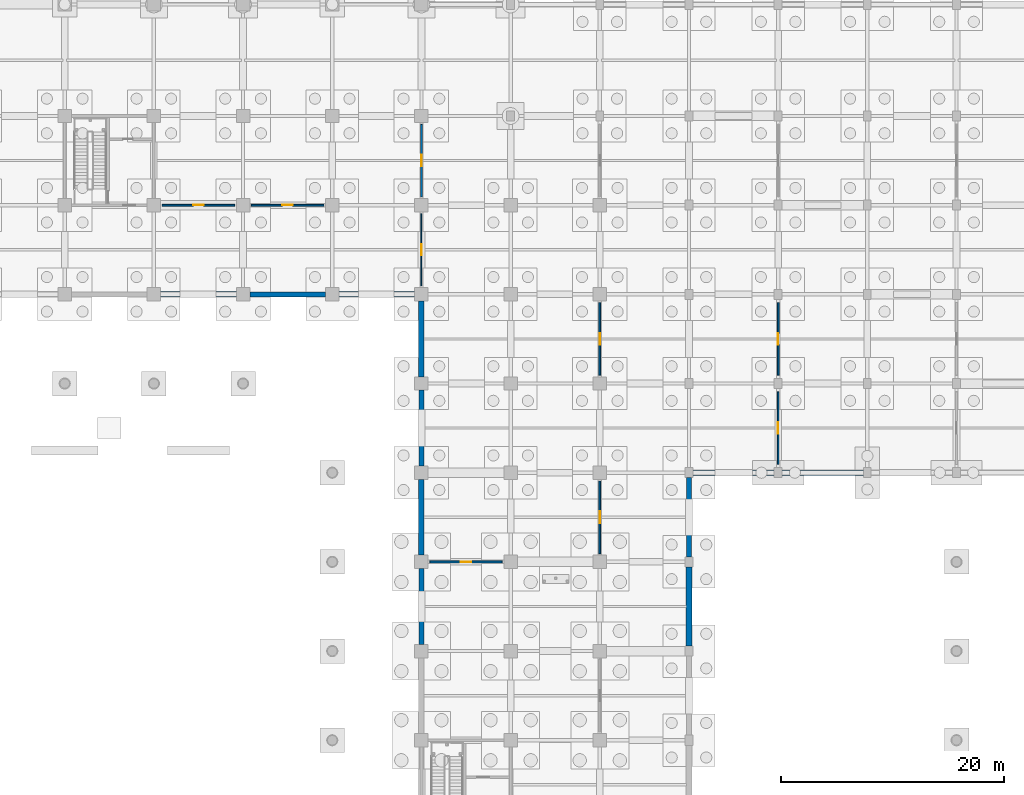
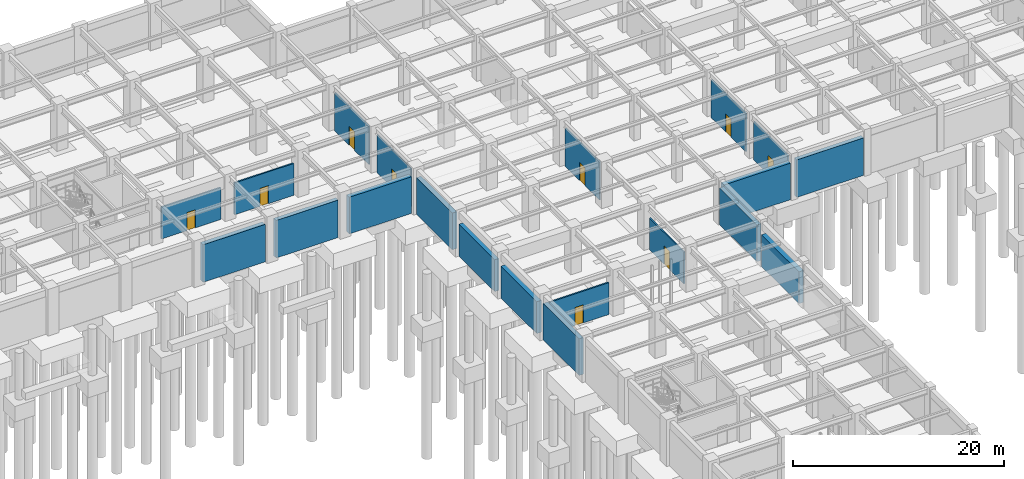
# One storey, part 82 of 97: 20 walls, 9 doors, 9 openings.
"""IFC4 building model written with IfcOpenShell, lengths in metres."""

from ifc_helpers import new_model, si_unit, direction, frame, frame_2d, origin, place, context, subcontext, project, spatial, rectangle, extrude, material, layer, layer_set, type_object, element, fill, save


model = new_model("IFC4")

# Units and contexts
model_context = context("Model", 3, precision=1e-05, world=origin(), true_north=direction((0.0, 1.0)))
body_context = subcontext(model_context, "Body", "Model", "MODEL_VIEW")
ifc_project = project(units=[si_unit("LENGTHUNIT", "METRE"), si_unit("AREAUNIT", "SQUARE_METRE"), si_unit("VOLUMEUNIT", "CUBIC_METRE"), si_unit("PLANEANGLEUNIT", "RADIAN"), si_unit("MASSUNIT", "GRAM", prefix="KILO")], contexts=[model_context])

# Site, building, storey
site_placement = place(None, origin())
site = spatial("IfcSite", under=ifc_project, at=site_placement, CompositionType="ELEMENT")
building_placement = place(site_placement, origin())
building = spatial("IfcBuilding", under=site, at=building_placement, Name="Haebicheon Civic Stadium", CompositionType="ELEMENT")
storey_placement = place(building_placement, frame((0.0, 0.0, -5.39990234375)))
storey = spatial("IfcBuildingStorey", under=building, at=storey_placement, Name="B1", CompositionType="ELEMENT", Elevation=-5.39990234375)

# Walls
ifc_material_1 = material(Name="Concrete C40/50", Category="concrete")
ifc_layer_1 = layer(ifc_material_1, 0.4599609375, Name="Concrete C40/50")
ifc_layer_set_1 = layer_set([ifc_layer_1], Name="Concrete C40/50")
wall_type_1 = type_object("IfcWallType", Name="EW-RET-460", PredefinedType="STANDARD", material=ifc_layer_set_1)
wall_1_placement = place(storey_placement, frame((128.60009765625, 152.0, 0.0), z_axis=(0.0, 0.0, 1.0), x_axis=(1.0, 0.0, 0.0)))
element("IfcWall", 1, at=wall_1_placement, inside=storey, type_object=wall_type_1, material=ifc_layer_set_1, Name="B1 retaining wall 16-19-S", PredefinedType="STANDARD", context=body_context, shape_type="SweptSolid", body=[
    extrude(rectangle(XDim=6.7998046875, YDim=0.4599609375, at=frame_2d((3.39990234375, 0.0))), origin(), (0.0, 0.0, 1.0), 4.33984375),
])
wall_2_placement = place(storey_placement, frame((144.0, 120.60009765625, 0.0), z_axis=(0.0, 0.0, 1.0), x_axis=(0.0, 1.0, 0.0)))
element("IfcWall", 2, at=wall_2_placement, inside=storey, type_object=wall_type_1, material=ifc_layer_set_1, Name="B1 retaining wall 18-15-W", PredefinedType="STANDARD", context=body_context, shape_type="SweptSolid", body=[
    extrude(rectangle(XDim=6.7998046875, YDim=0.4599609375, at=frame_2d((3.39990234375, 0.0))), origin(), (0.0, 0.0, 1.0), 4.239990234375),
])
wall_3_placement = place(storey_placement, frame((144.0, 136.60009765625, 0.0), z_axis=(0.0, 0.0, 1.0), x_axis=(0.0, 1.0, 0.0)))
element("IfcWall", 3, at=wall_3_placement, inside=storey, type_object=wall_type_1, material=ifc_layer_set_1, Name="B1 retaining wall 18-17-W", PredefinedType="STANDARD", context=body_context, shape_type="SweptSolid", body=[
    extrude(rectangle(XDim=6.7998046875, YDim=0.4599609375, at=frame_2d((3.39990234375, 0.0))), origin(), (0.0, 0.0, 1.0), 3.68994140625),
])
wall_4_placement = place(storey_placement, frame((168.0, 128.449951171875, 0.0), z_axis=(0.0, 0.0, 1.0), x_axis=(0.0, 1.0, 0.0)))
element("IfcWall", 4, at=wall_4_placement, inside=storey, type_object=wall_type_1, material=ifc_layer_set_1, Name="B1 retaining wall 21-16-E", PredefinedType="STANDARD", context=body_context, shape_type="SweptSolid", body=[
    extrude(rectangle(XDim=7.10009765625, YDim=0.4599609375, at=frame_2d((3.550048828125, 0.0))), origin(), (0.0, 0.0, 1.0), 4.239990234375),
])
wall_5_placement = place(storey_placement, frame((176.35009765625, 136.0, 0.0), z_axis=(0.0, 0.0, 1.0), x_axis=(1.0, 0.0, 0.0)))
element("IfcWall", 5, at=wall_5_placement, inside=storey, type_object=wall_type_1, material=ifc_layer_set_1, Name="B1 retaining wall 22-17-S", PredefinedType="STANDARD", context=body_context, shape_type="SweptSolid", body=[
    extrude(rectangle(XDim=7.2998046875, YDim=0.4599609375, at=frame_2d((3.64990234375, 0.0))), origin(), (0.0, 0.0, 1.0), 4.33984375),
])
ifc_material_2 = material(Name="Concrete C40/50", Category="concrete")
ifc_layer_2 = layer(ifc_material_2, 0.5, Name="Concrete C40/50")
ifc_layer_set_2 = layer_set([ifc_layer_2], Name="Concrete C40/50")
wall_type_2 = type_object("IfcWallType", Name="EW-RET-500", PredefinedType="STANDARD", material=ifc_layer_set_2)
wall_6_placement = place(storey_placement, frame((120.60009765625, 152.0, 0.0), z_axis=(0.0, 0.0, 1.0), x_axis=(1.0, 0.0, 0.0)))
element("IfcWall", 6, at=wall_6_placement, inside=storey, type_object=wall_type_2, material=ifc_layer_set_2, Name="B1 retaining wall 15-19-S", PredefinedType="STANDARD", context=body_context, shape_type="SweptSolid", body=[
    extrude(rectangle(XDim=6.7998046875, YDim=0.5, at=frame_2d((3.39990234375, 0.0))), origin(), (0.0, 0.0, 1.0), 4.33984375),
])
wall_7_placement = place(storey_placement, frame((136.60009765625, 152.0, 0.0), z_axis=(0.0, 0.0, 1.0), x_axis=(1.0, 0.0, 0.0)))
element("IfcWall", 7, at=wall_7_placement, inside=storey, type_object=wall_type_2, material=ifc_layer_set_2, Name="B1 retaining wall 17-19-S", PredefinedType="STANDARD", context=body_context, shape_type="SweptSolid", body=[
    extrude(rectangle(XDim=6.7998046875, YDim=0.5, at=frame_2d((3.39990234375, 0.0))), origin(), (0.0, 0.0, 1.0), 4.239990234375),
])
wall_8_placement = place(storey_placement, frame((144.0, 128.60009765625, 0.0), z_axis=(0.0, 0.0, 1.0), x_axis=(0.0, 1.0, 0.0)))
element("IfcWall", 8, at=wall_8_placement, inside=storey, type_object=wall_type_2, material=ifc_layer_set_2, Name="B1 retaining wall 18-16-W", PredefinedType="STANDARD", context=body_context, shape_type="SweptSolid", body=[
    extrude(rectangle(XDim=6.7998046875, YDim=0.5, at=frame_2d((3.39990234375, 0.0))), origin(), (0.0, 0.0, 1.0), 3.68994140625),
])
wall_9_placement = place(storey_placement, frame((144.0, 144.60009765625, 0.0), z_axis=(0.0, 0.0, 1.0), x_axis=(0.0, 1.0, 0.0)))
element("IfcWall", 9, at=wall_9_placement, inside=storey, type_object=wall_type_2, material=ifc_layer_set_2, Name="B1 retaining wall 18-18-W", PredefinedType="STANDARD", context=body_context, shape_type="SweptSolid", body=[
    extrude(rectangle(XDim=6.7998046875, YDim=0.5, at=frame_2d((3.39990234375, 0.0))), origin(), (0.0, 0.0, 1.0), 4.239990234375),
])
wall_10_placement = place(storey_placement, frame((168.0, 120.449951171875, 0.0), z_axis=(0.0, 0.0, 1.0), x_axis=(0.0, 1.0, 0.0)))
element("IfcWall", 10, at=wall_10_placement, inside=storey, type_object=wall_type_2, material=ifc_layer_set_2, Name="B1 retaining wall 21-15-E", PredefinedType="STANDARD", context=body_context, shape_type="SweptSolid", body=[
    extrude(rectangle(XDim=7.10009765625, YDim=0.5, at=frame_2d((3.550048828125, 0.0))), origin(), (0.0, 0.0, 1.0), 3.68994140625),
])
wall_11_placement = place(storey_placement, frame((168.35009765625, 136.0, 0.0), z_axis=(0.0, 0.0, 1.0), x_axis=(1.0, 0.0, 0.0)))
element("IfcWall", 11, at=wall_11_placement, inside=storey, type_object=wall_type_2, material=ifc_layer_set_2, Name="B1 retaining wall 21-17-S", PredefinedType="STANDARD", context=body_context, shape_type="SweptSolid", body=[
    extrude(rectangle(XDim=7.2998046875, YDim=0.5, at=frame_2d((3.64990234375, 0.0))), origin(), (0.0, 0.0, 1.0), 4.239990234375),
])

# Wall, opening, door
ifc_material_3 = material(Name="Anodised aluminium and laminated glass", Category="aluminium")
ifc_layer_3 = layer(ifc_material_3, 0.10009765625, Name="Anodised aluminium and laminated glass")
ifc_layer_set_3 = layer_set([ifc_layer_3], Name="Anodised aluminium and laminated glass")
wall_type_3 = type_object("IfcWallType", Name="IW-PRT-100", PredefinedType="PARTITIONING", material=ifc_layer_set_3)
wall_12_placement = place(storey_placement, frame((144.0, 152.75, 0.0), z_axis=(0.0, 0.0, 1.0), x_axis=(0.0, 1.0, 0.0)))
wall_12 = element("IfcWall", 12, at=wall_12_placement, inside=storey, type_object=wall_type_3, material=ifc_layer_set_3, Name="B1 Broadcast Fibre Patch Room partition wall", PredefinedType="PARTITIONING", context=body_context, shape_type="SweptSolid", body=[
    extrude(rectangle(XDim=6.5, YDim=0.10009765625, at=frame_2d((3.25, 0.0))), origin(), (0.0, 0.0, 1.0), 4.389892578125),
])
opening_1_placement = place(wall_12_placement, frame((2.77490234375, 0.0, 0.0)))
opening_1 = element("IfcOpeningElement", 13, at=opening_1_placement, cuts=wall_12, Name="Opening D-B1-071", PredefinedType="OPENING", context=body_context, shape_type="SweptSolid", body=[
    extrude(rectangle(XDim=0.949951171875, YDim=2.10009765625, at=frame_2d((0.47509765625, 1.050048828125))), frame((0.0, 0.06005859375, 0.0), z_axis=(0.0, -1.0, 0.0), x_axis=(1.0, 0.0, 0.0)), (0.0, 0.0, 1.0), 0.1201171875),
])
ifc_material_4 = material(Name="Engineered hardwood timber", Category="wood")
door_type_1 = type_object("IfcDoorType", Name="ID-RM-0950", OperationType="NOTDEFINED", PredefinedType="DOOR", material=ifc_material_4)
door_1_placement = place(opening_1_placement, origin())
door_1 = element("IfcDoor", 14, at=door_1_placement, inside=storey, type_object=door_type_1, material=ifc_material_4, Name="B1 Broadcast Fibre Patch Room entrance door D-B1-071", OperationType="SINGLE_SWING_LEFT", OverallHeight=2.10009765625, OverallWidth=0.949951171875, PredefinedType="DOOR", context=body_context, shape_type="SweptSolid", body=[
    extrude(rectangle(XDim=0.949951171875, YDim=2.10009765625, at=frame_2d((0.47509765625, 1.050048828125))), frame((0.0, 0.02490234375, 0.0), z_axis=(0.0, -1.0, 0.0), x_axis=(1.0, 0.0, 0.0)), (0.0, 0.0, 1.0), 0.050048828125),
])
fill(opening_1, door_1)

ifc_material_5 = material(Name="Gypsum plasterboard on steel studs", Category="gypsum")
ifc_layer_4 = layer(ifc_material_5, 0.14990234375, Name="Gypsum plasterboard on steel studs")
ifc_layer_set_4 = layer_set([ifc_layer_4], Name="Gypsum plasterboard on steel studs")
wall_type_4 = type_object("IfcWallType", Name="IW-PRT-150", PredefinedType="PARTITIONING", material=ifc_layer_set_4)
wall_13_placement = place(storey_placement, frame((144.0, 160.75, 0.0), z_axis=(0.0, 0.0, 1.0), x_axis=(0.0, 1.0, 0.0)))
wall_13 = element("IfcWall", 15, at=wall_13_placement, inside=storey, type_object=wall_type_4, material=ifc_layer_set_4, Name="B1 Athlete Hydrotherapy Recovery Suite partition wall", PredefinedType="PARTITIONING", context=body_context, shape_type="SweptSolid", body=[
    extrude(rectangle(XDim=6.5, YDim=0.14990234375, at=frame_2d((3.25, 0.0))), origin(), (0.0, 0.0, 1.0), 4.389892578125),
])
opening_2_placement = place(wall_13_placement, frame((2.72509765625, 0.0, 0.0)))
opening_2 = element("IfcOpeningElement", 16, at=opening_2_placement, cuts=wall_13, Name="Opening D-B1-072", PredefinedType="OPENING", context=body_context, shape_type="SweptSolid", body=[
    extrude(rectangle(XDim=1.050048828125, YDim=2.14990234375, at=frame_2d((0.52490234375, 1.074951171875))), frame((0.0, 0.0849609375, 0.0), z_axis=(0.0, -1.0, 0.0), x_axis=(1.0, 0.0, 0.0)), (0.0, 0.0, 1.0), 0.169921875),
])
ifc_material_6 = material(Name="Engineered hardwood timber", Category="wood")
door_type_2 = type_object("IfcDoorType", Name="ID-RM-1050", OperationType="NOTDEFINED", PredefinedType="DOOR", material=ifc_material_6)
door_2_placement = place(opening_2_placement, origin())
door_2 = element("IfcDoor", 17, at=door_2_placement, inside=storey, type_object=door_type_2, material=ifc_material_6, Name="B1 Athlete Hydrotherapy Recovery Suite entrance door D-B1-072", OperationType="SINGLE_SWING_RIGHT", OverallHeight=2.14990234375, OverallWidth=1.050048828125, PredefinedType="DOOR", context=body_context, shape_type="SweptSolid", body=[
    extrude(rectangle(XDim=1.050048828125, YDim=2.14990234375, at=frame_2d((0.52490234375, 1.074951171875))), frame((0.0, 0.02490234375, 0.0), z_axis=(0.0, -1.0, 0.0), x_axis=(1.0, 0.0, 0.0)), (0.0, 0.0, 1.0), 0.050048828125),
])
fill(opening_2, door_2)

wall_14_placement = place(storey_placement, frame((160.0, 128.75, 0.0), z_axis=(0.0, 0.0, 1.0), x_axis=(0.0, 1.0, 0.0)))
wall_14 = element("IfcWall", 18, at=wall_14_placement, inside=storey, type_object=wall_type_4, material=ifc_layer_set_4, Name="B1 Athlete Hydrotherapy Recovery Suite partition wall", PredefinedType="PARTITIONING", context=body_context, shape_type="SweptSolid", body=[
    extrude(rectangle(XDim=6.5, YDim=0.14990234375, at=frame_2d((3.25, 0.0))), origin(), (0.0, 0.0, 1.0), 3.68994140625),
])
opening_3_placement = place(wall_14_placement, frame((2.72509765625, 0.0, 0.0)))
opening_3 = element("IfcOpeningElement", 19, at=opening_3_placement, cuts=wall_14, Name="Opening D-B1-081", PredefinedType="OPENING", context=body_context, shape_type="SweptSolid", body=[
    extrude(rectangle(XDim=1.050048828125, YDim=2.14990234375, at=frame_2d((0.52490234375, 1.074951171875))), frame((0.0, 0.0849609375, 0.0), z_axis=(0.0, -1.0, 0.0), x_axis=(1.0, 0.0, 0.0)), (0.0, 0.0, 1.0), 0.169921875),
])
door_3_placement = place(opening_3_placement, origin())
door_3 = element("IfcDoor", 20, at=door_3_placement, inside=storey, type_object=door_type_2, material=ifc_material_6, Name="B1 Athlete Hydrotherapy Recovery Suite entrance door D-B1-081", OperationType="SINGLE_SWING_LEFT", OverallHeight=2.14990234375, OverallWidth=1.050048828125, PredefinedType="DOOR", context=body_context, shape_type="SweptSolid", body=[
    extrude(rectangle(XDim=1.050048828125, YDim=2.14990234375, at=frame_2d((0.52490234375, 1.074951171875))), frame((0.0, 0.02490234375, 0.0), z_axis=(0.0, -1.0, 0.0), x_axis=(1.0, 0.0, 0.0)), (0.0, 0.0, 1.0), 0.050048828125),
])
fill(opening_3, door_3)

wall_15_placement = place(storey_placement, frame((176.0, 136.75, 0.0), z_axis=(0.0, 0.0, 1.0), x_axis=(0.0, 1.0, 0.0)))
wall_15 = element("IfcWall", 21, at=wall_15_placement, inside=storey, type_object=wall_type_4, material=ifc_layer_set_4, Name="B1 Athlete Hydrotherapy Recovery Suite partition wall", PredefinedType="PARTITIONING", context=body_context, shape_type="SweptSolid", body=[
    extrude(rectangle(XDim=6.5, YDim=0.14990234375, at=frame_2d((3.25, 0.0))), origin(), (0.0, 0.0, 1.0), 4.389892578125),
])
opening_4_placement = place(wall_15_placement, frame((2.72509765625, 0.0, 0.0)))
opening_4 = element("IfcOpeningElement", 22, at=opening_4_placement, cuts=wall_15, Name="Opening D-B1-087", PredefinedType="OPENING", context=body_context, shape_type="SweptSolid", body=[
    extrude(rectangle(XDim=1.050048828125, YDim=2.14990234375, at=frame_2d((0.52490234375, 1.074951171875))), frame((0.0, 0.0849609375, 0.0), z_axis=(0.0, -1.0, 0.0), x_axis=(1.0, 0.0, 0.0)), (0.0, 0.0, 1.0), 0.169921875),
])
door_4_placement = place(opening_4_placement, origin())
door_4 = element("IfcDoor", 23, at=door_4_placement, inside=storey, type_object=door_type_2, material=ifc_material_6, Name="B1 Athlete Hydrotherapy Recovery Suite entrance door D-B1-087", OperationType="SINGLE_SWING_LEFT", OverallHeight=2.14990234375, OverallWidth=1.050048828125, PredefinedType="DOOR", context=body_context, shape_type="SweptSolid", body=[
    extrude(rectangle(XDim=1.050048828125, YDim=2.14990234375, at=frame_2d((0.52490234375, 1.074951171875))), frame((0.0, 0.02490234375, 0.0), z_axis=(0.0, -1.0, 0.0), x_axis=(1.0, 0.0, 0.0)), (0.0, 0.0, 1.0), 0.050048828125),
])
fill(opening_4, door_4)

ifc_material_7 = material(Name="Concrete C35/45", Category="concrete")
ifc_layer_5 = layer(ifc_material_7, 0.159912109375, Name="Concrete C35/45")
ifc_layer_set_5 = layer_set([ifc_layer_5], Name="Concrete C35/45")
wall_type_5 = type_object("IfcWallType", Name="IW-PRT-160", PredefinedType="PARTITIONING", material=ifc_layer_set_5)
wall_16_placement = place(storey_placement, frame((120.75, 160.0, 0.0), z_axis=(0.0, 0.0, 1.0), x_axis=(1.0, 0.0, 0.0)))
wall_16 = element("IfcWall", 24, at=wall_16_placement, inside=storey, type_object=wall_type_5, material=ifc_layer_set_5, Name="B1 Stadium Kit and Equipment Store partition wall", PredefinedType="PARTITIONING", context=body_context, shape_type="SweptSolid", body=[
    extrude(rectangle(XDim=6.5, YDim=0.159912109375, at=frame_2d((3.25, 0.0))), origin(), (0.0, 0.0, 1.0), 3.68994140625),
])
opening_5_placement = place(wall_16_placement, frame((2.77490234375, 0.0, 0.0)))
opening_5 = element("IfcOpeningElement", 25, at=opening_5_placement, cuts=wall_16, Name="Opening D-B1-037", PredefinedType="OPENING", context=body_context, shape_type="SweptSolid", body=[
    extrude(rectangle(XDim=0.949951171875, YDim=2.10009765625, at=frame_2d((0.47509765625, 1.050048828125))), frame((0.0, 0.08984375, 0.0), z_axis=(0.0, -1.0, 0.0), x_axis=(1.0, 0.0, 0.0)), (0.0, 0.0, 1.0), 0.179931640625),
])
door_5_placement = place(opening_5_placement, origin())
door_5 = element("IfcDoor", 26, at=door_5_placement, inside=storey, type_object=door_type_1, material=ifc_material_4, Name="B1 Stadium Kit and Equipment Store entrance door D-B1-037", OperationType="SINGLE_SWING_LEFT", OverallHeight=2.10009765625, OverallWidth=0.949951171875, PredefinedType="DOOR", context=body_context, shape_type="SweptSolid", body=[
    extrude(rectangle(XDim=0.949951171875, YDim=2.10009765625, at=frame_2d((0.47509765625, 1.050048828125))), frame((0.0, 0.02490234375, 0.0), z_axis=(0.0, -1.0, 0.0), x_axis=(1.0, 0.0, 0.0)), (0.0, 0.0, 1.0), 0.050048828125),
])
fill(opening_5, door_5)

wall_17_placement = place(storey_placement, frame((128.75, 160.0, 0.0), z_axis=(0.0, 0.0, 1.0), x_axis=(1.0, 0.0, 0.0)))
wall_17 = element("IfcWall", 27, at=wall_17_placement, inside=storey, type_object=wall_type_5, material=ifc_layer_set_5, Name="B1 Stadium Kit and Equipment Store partition wall", PredefinedType="PARTITIONING", context=body_context, shape_type="SweptSolid", body=[
    extrude(rectangle(XDim=6.5, YDim=0.159912109375, at=frame_2d((3.25, 0.0))), origin(), (0.0, 0.0, 1.0), 3.68994140625),
])
opening_6_placement = place(wall_17_placement, frame((2.77490234375, 0.0, 0.0)))
opening_6 = element("IfcOpeningElement", 28, at=opening_6_placement, cuts=wall_17, Name="Opening D-B1-039", PredefinedType="OPENING", context=body_context, shape_type="SweptSolid", body=[
    extrude(rectangle(XDim=0.949951171875, YDim=2.10009765625, at=frame_2d((0.47509765625, 1.050048828125))), frame((0.0, 0.08984375, 0.0), z_axis=(0.0, -1.0, 0.0), x_axis=(1.0, 0.0, 0.0)), (0.0, 0.0, 1.0), 0.179931640625),
])
door_6_placement = place(opening_6_placement, origin())
door_6 = element("IfcDoor", 29, at=door_6_placement, inside=storey, type_object=door_type_1, material=ifc_material_4, Name="B1 Stadium Kit and Equipment Store entrance door D-B1-039", OperationType="SINGLE_SWING_LEFT", OverallHeight=2.10009765625, OverallWidth=0.949951171875, PredefinedType="DOOR", context=body_context, shape_type="SweptSolid", body=[
    extrude(rectangle(XDim=0.949951171875, YDim=2.10009765625, at=frame_2d((0.47509765625, 1.050048828125))), frame((0.0, 0.02490234375, 0.0), z_axis=(0.0, -1.0, 0.0), x_axis=(1.0, 0.0, 0.0)), (0.0, 0.0, 1.0), 0.050048828125),
])
fill(opening_6, door_6)

wall_18_placement = place(storey_placement, frame((144.75, 128.0, 0.0), z_axis=(0.0, 0.0, 1.0), x_axis=(1.0, 0.0, 0.0)))
wall_18 = element("IfcWall", 30, at=wall_18_placement, inside=storey, type_object=wall_type_5, material=ifc_layer_set_5, Name="B1 Stadium Kit and Equipment Store partition wall", PredefinedType="PARTITIONING", context=body_context, shape_type="SweptSolid", body=[
    extrude(rectangle(XDim=6.5, YDim=0.159912109375, at=frame_2d((3.25, 0.0))), origin(), (0.0, 0.0, 1.0), 3.68994140625),
])
opening_7_placement = place(wall_18_placement, frame((2.77490234375, 0.0, 0.0)))
opening_7 = element("IfcOpeningElement", 31, at=opening_7_placement, cuts=wall_18, Name="Opening D-B1-043", PredefinedType="OPENING", context=body_context, shape_type="SweptSolid", body=[
    extrude(rectangle(XDim=0.949951171875, YDim=2.10009765625, at=frame_2d((0.47509765625, 1.050048828125))), frame((0.0, 0.08984375, 0.0), z_axis=(0.0, -1.0, 0.0), x_axis=(1.0, 0.0, 0.0)), (0.0, 0.0, 1.0), 0.179931640625),
])
door_7_placement = place(opening_7_placement, origin())
door_7 = element("IfcDoor", 32, at=door_7_placement, inside=storey, type_object=door_type_1, material=ifc_material_4, Name="B1 Stadium Kit and Equipment Store entrance door D-B1-043", OperationType="SINGLE_SWING_LEFT", OverallHeight=2.10009765625, OverallWidth=0.949951171875, PredefinedType="DOOR", context=body_context, shape_type="SweptSolid", body=[
    extrude(rectangle(XDim=0.949951171875, YDim=2.10009765625, at=frame_2d((0.47509765625, 1.050048828125))), frame((0.0, 0.02490234375, 0.0), z_axis=(0.0, -1.0, 0.0), x_axis=(1.0, 0.0, 0.0)), (0.0, 0.0, 1.0), 0.050048828125),
])
fill(opening_7, door_7)

wall_19_placement = place(storey_placement, frame((160.0, 144.75, 0.0), z_axis=(0.0, 0.0, 1.0), x_axis=(0.0, 1.0, 0.0)))
wall_19 = element("IfcWall", 33, at=wall_19_placement, inside=storey, type_object=wall_type_5, material=ifc_layer_set_5, Name="B1 Hospitality Cellar and Dry Store partition wall", PredefinedType="PARTITIONING", context=body_context, shape_type="SweptSolid", body=[
    extrude(rectangle(XDim=6.5, YDim=0.159912109375, at=frame_2d((3.25, 0.0))), origin(), (0.0, 0.0, 1.0), 4.389892578125),
])
opening_8_placement = place(wall_19_placement, frame((2.75, 0.0, 0.0)))
opening_8 = element("IfcOpeningElement", 34, at=opening_8_placement, cuts=wall_19, Name="Opening D-B1-082", PredefinedType="OPENING", context=body_context, shape_type="SweptSolid", body=[
    extrude(rectangle(XDim=1.0, YDim=2.10009765625, at=frame_2d((0.5, 1.050048828125))), frame((0.0, 0.08984375, 0.0), z_axis=(0.0, -1.0, 0.0), x_axis=(1.0, 0.0, 0.0)), (0.0, 0.0, 1.0), 0.179931640625),
])
ifc_material_8 = material(Name="Engineered hardwood timber", Category="wood")
door_type_3 = type_object("IfcDoorType", Name="ID-RM-1000", OperationType="NOTDEFINED", PredefinedType="DOOR", material=ifc_material_8)
door_8_placement = place(opening_8_placement, origin())
door_8 = element("IfcDoor", 35, at=door_8_placement, inside=storey, type_object=door_type_3, material=ifc_material_8, Name="B1 Hospitality Cellar and Dry Store entrance door D-B1-082", OperationType="SINGLE_SWING_RIGHT", OverallHeight=2.10009765625, OverallWidth=1.0, PredefinedType="DOOR", context=body_context, shape_type="SweptSolid", body=[
    extrude(rectangle(XDim=1.0, YDim=2.10009765625, at=frame_2d((0.5, 1.050048828125))), frame((0.0, 0.02490234375, 0.0), z_axis=(0.0, -1.0, 0.0), x_axis=(1.0, 0.0, 0.0)), (0.0, 0.0, 1.0), 0.050048828125),
])
fill(opening_8, door_8)

wall_20_placement = place(storey_placement, frame((176.0, 144.75, 0.0), z_axis=(0.0, 0.0, 1.0), x_axis=(0.0, 1.0, 0.0)))
wall_20 = element("IfcWall", 36, at=wall_20_placement, inside=storey, type_object=wall_type_5, material=ifc_layer_set_5, Name="B1 Hospitality Cellar and Dry Store partition wall", PredefinedType="PARTITIONING", context=body_context, shape_type="SweptSolid", body=[
    extrude(rectangle(XDim=6.5, YDim=0.159912109375, at=frame_2d((3.25, 0.0))), origin(), (0.0, 0.0, 1.0), 4.389892578125),
])
opening_9_placement = place(wall_20_placement, frame((2.75, 0.0, 0.0)))
opening_9 = element("IfcOpeningElement", 37, at=opening_9_placement, cuts=wall_20, Name="Opening D-B1-088", PredefinedType="OPENING", context=body_context, shape_type="SweptSolid", body=[
    extrude(rectangle(XDim=1.0, YDim=2.10009765625, at=frame_2d((0.5, 1.050048828125))), frame((0.0, 0.08984375, 0.0), z_axis=(0.0, -1.0, 0.0), x_axis=(1.0, 0.0, 0.0)), (0.0, 0.0, 1.0), 0.179931640625),
])
door_9_placement = place(opening_9_placement, origin())
door_9 = element("IfcDoor", 38, at=door_9_placement, inside=storey, type_object=door_type_3, material=ifc_material_8, Name="B1 Hospitality Cellar and Dry Store entrance door D-B1-088", OperationType="SINGLE_SWING_RIGHT", OverallHeight=2.10009765625, OverallWidth=1.0, PredefinedType="DOOR", context=body_context, shape_type="SweptSolid", body=[
    extrude(rectangle(XDim=1.0, YDim=2.10009765625, at=frame_2d((0.5, 1.050048828125))), frame((0.0, 0.02490234375, 0.0), z_axis=(0.0, -1.0, 0.0), x_axis=(1.0, 0.0, 0.0)), (0.0, 0.0, 1.0), 0.050048828125),
])
fill(opening_9, door_9)

save(model, "model.ifc")
